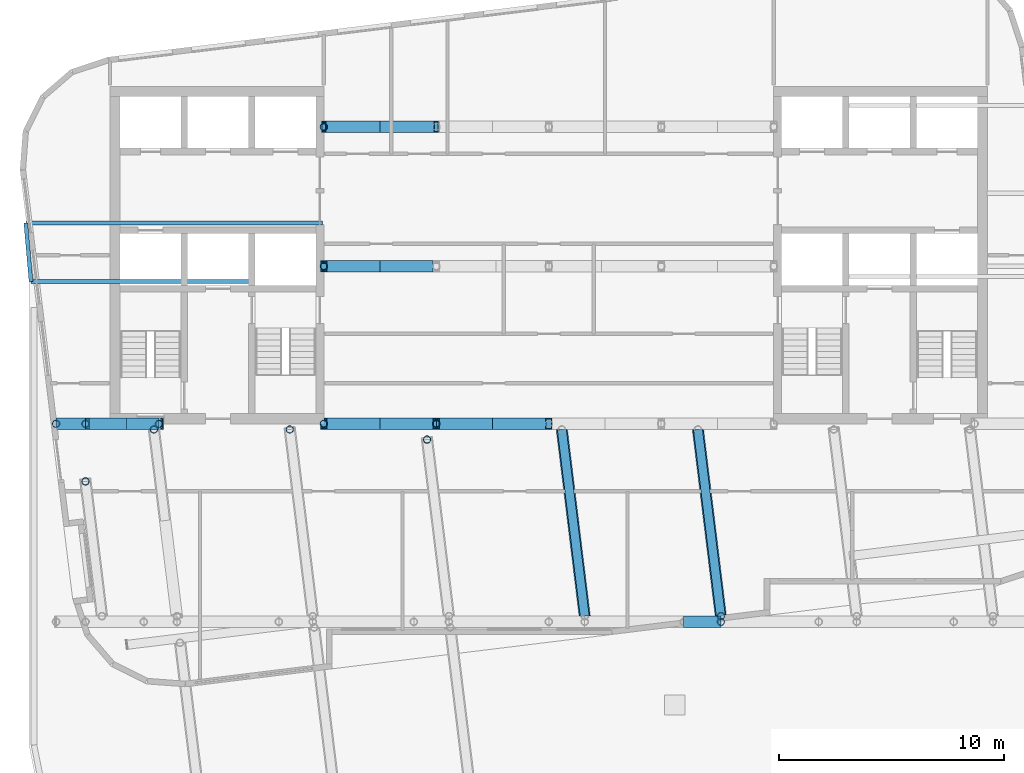
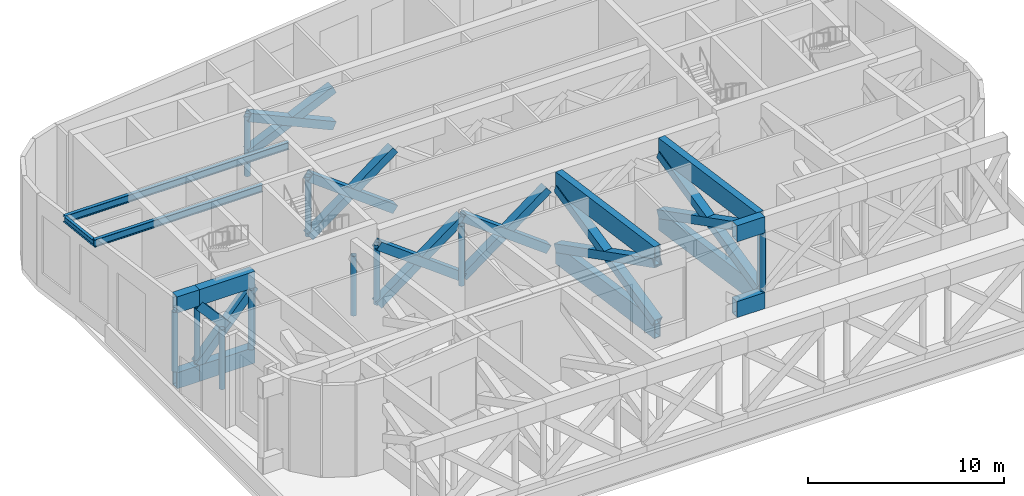
# One storey, part 2 of 16: 27 members, 13 beams.
"""IFC4 building model written with IfcOpenShell, lengths in metres."""

from ifc_helpers import new_model, si_unit, direction, frame, origin, origin_2d, place, context, subcontext, project, spatial, hollow_rectangle, hollow_circle, i_section, extrude, material, material_profile, profile_set, type_object, element, save


model = new_model("IFC4")

# Units and contexts
model_context = context("Model", 3, precision=1e-05, world=origin(), true_north=direction((0.0, 1.0)))
body_context = subcontext(model_context, "Body", "Model", "MODEL_VIEW")
ifc_project = project(units=[si_unit("LENGTHUNIT", "METRE"), si_unit("AREAUNIT", "SQUARE_METRE"), si_unit("VOLUMEUNIT", "CUBIC_METRE"), si_unit("PLANEANGLEUNIT", "RADIAN"), si_unit("MASSUNIT", "GRAM", prefix="KILO")], contexts=[model_context])

# Site, building, storey
site_placement = place(None, origin())
site = spatial("IfcSite", under=ifc_project, at=site_placement, CompositionType="ELEMENT")
building_placement = place(site_placement, origin())
building = spatial("IfcBuilding", under=site, at=building_placement, Name="Torana Hotel and Residences", CompositionType="ELEMENT")
storey_placement = place(building_placement, frame((0.0, 0.0, 308.60009765625)))
storey = spatial("IfcBuildingStorey", under=building, at=storey_placement, Name="L82", CompositionType="ELEMENT", Elevation=308.60009765625)

# Beams
ifc_material_1 = material(Name="Steel S355", Category="steel")
ifc_material_profile_1 = material_profile(ifc_material_1, i_section(OverallWidth=0.19287109375, OverallDepth=0.46728515625, WebThickness=0.011474609375, FlangeThickness=0.01953125, FilletRadius=0.01025390625, at=origin_2d()), Name="457x191x98 UB")
ifc_profile_set_1 = profile_set([ifc_material_profile_1], Name="Steel S355")
beam_type_1 = type_object("IfcBeamType", Name="BALCONY CANTILEVER BEAM 457x191x98 UB", PredefinedType="BEAM", material=ifc_profile_set_1)
beam_1_placement = place(storey_placement, frame((-23.013916015625, -8.669921875, 5.486328125), z_axis=(1.0, 0.0, 0.0), x_axis=(0.0, 1.0, 0.0)))
element("IfcBeam", 1, at=beam_1_placement, inside=storey, type_object=beam_type_1, Name="Balcony cantilever beam", PredefinedType="BEAM", context=body_context, shape_type="SweptSolid", body=[
    extrude(i_section(OverallWidth=0.19287109375, OverallDepth=0.46728515625, WebThickness=0.011474609375, FlangeThickness=0.01953125, FilletRadius=0.01025390625, at=origin_2d()), origin(), (0.0, 0.0, 1.0), 9.913818359375),
])
beam_2_placement = place(storey_placement, frame((-23.2451171875, -6.070068359375, 5.486328125), z_axis=(1.0, 0.0, 0.0), x_axis=(0.0, 1.0, 0.0)))
element("IfcBeam", 2, at=beam_2_placement, inside=storey, type_object=beam_type_1, Name="Balcony cantilever beam", PredefinedType="BEAM", context=body_context, shape_type="SweptSolid", body=[
    extrude(i_section(OverallWidth=0.19287109375, OverallDepth=0.46728515625, WebThickness=0.011474609375, FlangeThickness=0.01953125, FilletRadius=0.01025390625, at=origin_2d()), origin(), (0.0, 0.0, 1.0), 13.195068359375),
])
ifc_material_2 = material(Name="Steel S355", Category="steel")
ifc_material_profile_2 = material_profile(ifc_material_2, i_section(OverallWidth=0.173095703125, OverallDepth=0.36328125, WebThickness=0.009033203125, FlangeThickness=0.015625, FilletRadius=0.01025390625, at=origin_2d()), Name="356x171x67 UB")
ifc_profile_set_2 = profile_set([ifc_material_profile_2], Name="Steel S355")
beam_type_2 = type_object("IfcBeamType", Name="BALCONY TIP BEAM 356x171x67 UB", PredefinedType="BEAM", material=ifc_profile_set_2)
beam_3_placement = place(storey_placement, frame((-23.013916015625, -8.669921875, 5.5380859375), z_axis=(-0.088578973765, 0.99606915694, 0.0), x_axis=(-0.99606915694, -0.088578973765, 0.0)))
element("IfcBeam", 3, at=beam_3_placement, inside=storey, type_object=beam_type_2, Name="Balcony tip beam", PredefinedType="BEAM", context=body_context, shape_type="SweptSolid", body=[
    extrude(i_section(OverallWidth=0.173095703125, OverallDepth=0.36328125, WebThickness=0.009033203125, FlangeThickness=0.015625, FilletRadius=0.01025390625, at=origin_2d()), origin(), (0.0, 0.0, 1.0), 2.610107421875),
])
ifc_material_3 = material(Name="Steel S355", Category="steel")
ifc_material_profile_3 = material_profile(ifc_material_3, hollow_rectangle(XDim=0.5, YDim=1.0, WallThickness=0.050048828125, at=origin_2d()), Name="BOX 1000x500x50")
ifc_profile_set_3 = profile_set([ifc_material_profile_3], Name="Steel S355")
beam_type_3 = type_object("IfcBeamType", Name="STEEL CHORD BOX 1000x500x50", PredefinedType="BEAM", material=ifc_profile_set_3)
for number, where, z_axis, x_axis, name in (
    (4, (6.0, -23.800048828125, 0.5), (1.0, 0.0, 0.0), (0.0, 1.0, 0.0), "Transfer chord L82"),
    (5, (6.0, -23.800048828125, 5.219970703125), (1.0, 0.0, 0.0), (0.0, 1.0, 0.0), "Transfer chord L82"),
):
    element("IfcBeam", number, at=place(storey_placement, frame(where, z_axis=z_axis, x_axis=x_axis)), inside=storey, type_object=beam_type_3, Name=name, PredefinedType="BEAM", context=body_context, shape_type="SweptSolid", body=[
        extrude(hollow_rectangle(XDim=0.5, YDim=1.0, WallThickness=0.050048828125, at=origin_2d()), origin(), (0.0, 0.0, 1.0), 1.64892578125),
    ])
for number, where, z_axis, x_axis, name in (
    (6, (-21.89990234375, -15.0, 0.5), (1.0, 0.0, 0.0), (0.0, 1.0, 0.0), "Transfer chord L82"),
    (7, (-21.89990234375, -15.0, 5.219970703125), (1.0, 0.0, 0.0), (0.0, 1.0, 0.0), "Transfer chord L82"),
):
    element("IfcBeam", number, at=place(storey_placement, frame(where, z_axis=z_axis, x_axis=x_axis)), inside=storey, type_object=beam_type_3, Name=name, PredefinedType="BEAM", context=body_context, shape_type="SweptSolid", body=[
        extrude(hollow_rectangle(XDim=0.5, YDim=1.0, WallThickness=0.050048828125, at=origin_2d()), origin(), (0.0, 0.0, 1.0), 1.306884765625),
    ])
for number, where, z_axis, x_axis, name in (
    (8, (-20.593017578125, -15.0, 0.5), (1.0, 0.0, 0.0), (0.0, 1.0, 0.0), "Transfer chord L82"),
    (9, (-20.593017578125, -15.0, 5.219970703125), (1.0, 0.0, 0.0), (0.0, 1.0, 0.0), "Transfer chord L82"),
):
    element("IfcBeam", number, at=place(storey_placement, frame(where, z_axis=z_axis, x_axis=x_axis)), inside=storey, type_object=beam_type_3, Name=name, PredefinedType="BEAM", context=body_context, shape_type="SweptSolid", body=[
        extrude(hollow_rectangle(XDim=0.5, YDim=1.0, WallThickness=0.050048828125, at=origin_2d()), origin(), (0.0, 0.0, 1.0), 3.276123046875),
    ])
ifc_material_4 = material(Name="Steel S355", Category="steel")
ifc_material_profile_4 = material_profile(ifc_material_4, hollow_rectangle(XDim=0.39990234375, YDim=1.199951171875, WallThickness=0.0400390625, at=origin_2d()), Name="BOX 1200x400x40")
ifc_profile_set_4 = profile_set([ifc_material_profile_4], Name="Steel S355")
beam_type_4 = type_object("IfcBeamType", Name="STEEL CHORD BOX 1200x400x40", PredefinedType="BEAM", material=ifc_profile_set_4)
for number, where, z_axis, x_axis, name in (
    (10, (1.59912109375, -23.550048828125, 0.599853515625), (-0.121745472917, 0.992561353179, 0.0), (-0.992561353179, -0.121745472917, 0.0), "Transfer chord L82"),
    (11, (1.59912109375, -23.550048828125, 5.119873046875), (-0.121745472917, 0.992561353179, 0.0), (-0.992561353179, -0.121745472917, 0.0), "Transfer chord L82"),
    (12, (7.64892578125, -23.550048828125, 0.599853515625), (-0.121716709942, 0.992564880761, 0.0), (-0.992564880761, -0.121716709942, 0.0), "Transfer chord L82"),
    (13, (7.64892578125, -23.550048828125, 5.119873046875), (-0.121716709942, 0.992564880761, 0.0), (-0.992564880761, -0.121716709942, 0.0), "Transfer chord L82"),
):
    element("IfcBeam", number, at=place(storey_placement, frame(where, z_axis=z_axis, x_axis=x_axis)), inside=storey, type_object=beam_type_4, Name=name, PredefinedType="BEAM", context=body_context, shape_type="SweptSolid", body=[
        extrude(hollow_rectangle(XDim=0.39990234375, YDim=1.199951171875, WallThickness=0.0400390625, at=origin_2d()), origin(), (0.0, 0.0, 1.0), 8.3623046875),
    ])

# Members
ifc_material_5 = material(Name="Steel S355", Category="steel")
ifc_material_profile_5 = material_profile(ifc_material_5, hollow_rectangle(XDim=0.5, YDim=0.5, WallThickness=0.0400390625, at=origin_2d()), Name="BOX 500x500x40")
ifc_profile_set_5 = profile_set([ifc_material_profile_5], Name="Steel S355")
member_type_1 = type_object("IfcMemberType", Name="STEEL DIAGONAL BOX 500x500x40", PredefinedType="BRACE", material=ifc_profile_set_5)
for number, where, z_axis, x_axis, name in (
    (14, (-10.0, -15.0, 1.0), (0.802306956603, 0.0, 0.596911674695), (0.0, 1.0, 0.0), "Truss diagonal L82"),
    (15, (-5.0, -15.0, 1.0), (-0.802306956603, 0.0, 0.596911674695), (0.0, -1.0, 0.0), "Truss diagonal L82"),
    (16, (-5.0, -15.0, 1.0), (0.802306956603, 0.0, 0.596911674695), (0.0, 1.0, 0.0), "Truss diagonal L82"),
    (17, (0.0, -15.0, 1.0), (-0.802306956603, 0.0, 0.596911674695), (0.0, -1.0, 0.0), "Truss diagonal L82"),
    (18, (-10.0, -8.0, 1.0), (0.802306956603, 0.0, 0.596911674695), (0.0, 1.0, 0.0), "Truss diagonal L82"),
    (19, (-5.0, -8.0, 1.0), (-0.802306956603, 0.0, 0.596911674695), (0.0, -1.0, 0.0), "Truss diagonal L82"),
):
    element("IfcMember", number, at=place(storey_placement, frame(where, z_axis=z_axis, x_axis=x_axis)), inside=storey, type_object=member_type_1, Name=name, PredefinedType="BRACE", context=body_context, shape_type="SweptSolid", body=[
        extrude(hollow_rectangle(XDim=0.5, YDim=0.5, WallThickness=0.0400390625, at=origin_2d()), origin(), (0.0, 0.0, 1.0), 6.23193359375),
    ])
for number, where, z_axis, x_axis, name in (
    (20, (-10.0, -1.800048828125, 2.449951171875), (0.910552145583, 0.0, 0.413394230939), (0.0, 1.0, 0.0), "Truss diagonal L82"),
    (21, (-5.0, -1.800048828125, 2.449951171875), (-0.910552145583, 0.0, 0.413394230939), (0.0, -1.0, 0.0), "Truss diagonal L82"),
):
    element("IfcMember", number, at=place(storey_placement, frame(where, z_axis=z_axis, x_axis=x_axis)), inside=storey, type_object=member_type_1, Name=name, PredefinedType="BRACE", context=body_context, shape_type="SweptSolid", body=[
        extrude(hollow_rectangle(XDim=0.5, YDim=0.5, WallThickness=0.0400390625, at=origin_2d()), origin(), (0.0, 0.0, 1.0), 5.4912109375),
    ])
member_1_placement = place(storey_placement, frame((-20.593017578125, -15.0, 1.0), z_axis=(0.660917630842, 0.0, 0.750458450044), x_axis=(0.0, 1.0, 0.0)))
element("IfcMember", 22, at=member_1_placement, inside=storey, type_object=member_type_1, Name="Truss diagonal L82", PredefinedType="BRACE", context=body_context, shape_type="SweptSolid", body=[
    extrude(hollow_rectangle(XDim=0.5, YDim=0.5, WallThickness=0.0400390625, at=origin_2d()), origin(), (0.0, 0.0, 1.0), 4.95703125),
])
member_2_placement = place(storey_placement, frame((-18.955078125, -15.0, 2.85986328125), z_axis=(-0.660865462388, 0.0, 0.750504390808), x_axis=(0.0, -1.0, 0.0)))
element("IfcMember", 23, at=member_2_placement, inside=storey, type_object=member_type_1, Name="Truss diagonal L82", PredefinedType="BRACE", context=body_context, shape_type="SweptSolid", body=[
    extrude(hollow_rectangle(XDim=0.5, YDim=0.5, WallThickness=0.0400390625, at=origin_2d()), origin(), (0.0, 0.0, 1.0), 2.478515625),
])
for number, where, z_axis, x_axis, name in (
    (24, (1.59912109375, -23.550048828125, 1.0), (-0.111235558427, 0.906876565908, 0.406449928957), (-0.992561353179, -0.121745472917, 0.0), "Truss diagonal L82"),
    (25, (0.5810546875, -15.25, 1.0), (0.111235558427, -0.906876565908, 0.406449928957), (0.992561353179, 0.121745472917, 0.0), "Truss diagonal L82"),
    (26, (7.64892578125, -23.550048828125, 1.0), (-0.111209213177, 0.906879256509, 0.406451134848), (-0.992564880761, -0.121716709942, 0.0), "Truss diagonal L82"),
    (27, (6.631103515625, -15.25, 1.0), (0.111209213177, -0.906879256509, 0.406451134848), (0.992564880761, 0.121716709942, 0.0), "Truss diagonal L82"),
):
    element("IfcMember", number, at=place(storey_placement, frame(where, z_axis=z_axis, x_axis=x_axis)), inside=storey, type_object=member_type_1, Name=name, PredefinedType="BRACE", context=body_context, shape_type="SweptSolid", body=[
        extrude(hollow_rectangle(XDim=0.5, YDim=0.5, WallThickness=0.0400390625, at=origin_2d()), origin(), (0.0, 0.0, 1.0), 9.15234375),
    ])
ifc_material_6 = material(Name="Steel S355", Category="steel")
ifc_material_profile_6 = material_profile(ifc_material_6, hollow_circle(Radius=0.161865234375, WallThickness=0.012451171875, at=origin_2d()), Name="323.9x12.5 CHS")
ifc_profile_set_6 = profile_set([ifc_material_profile_6], Name="Steel S355")
member_type_2 = type_object("IfcMemberType", Name="STEEL POST 323.9x12.5 CHS", PredefinedType="POST", material=ifc_profile_set_6)
for number, where, z_axis, x_axis, name in (
    (28, (7.64990234375, -23.800048828125, 1.0), (0.0, 0.0, 1.0), (1.0, 0.0, 0.0), "Truss post L82"),
    (29, (-21.89990234375, -15.0, 1.0), (0.0, 0.0, 1.0), (1.0, 0.0, 0.0), "Truss post L82"),
    (30, (-20.590087890625, -15.0, 1.0), (0.0, 0.0, 1.0), (1.0, 0.0, 0.0), "Truss post L82"),
    (31, (-17.320068359375, -15.0, 1.0), (0.0, 0.0, 1.0), (1.0, 0.0, 0.0), "Truss post L82"),
    (32, (-20.590087890625, -17.56005859375, 1.0), (0.0, 0.0, 1.0), (1.0, 0.0, 0.0), "Truss post L82"),
    (33, (-17.550048828125, -15.25, 1.0), (0.0, 0.0, 1.0), (1.0, 0.0, 0.0), "Truss post L82"),
    (34, (-11.510009765625, -15.25, 1.0), (0.0, 0.0, 1.0), (1.0, 0.0, 0.0), "Truss post L82"),
    (35, (-5.409912109375, -15.699951171875, 1.0), (0.0, 0.0, 1.0), (1.0, 0.0, 0.0), "Truss post L82"),
    (36, (7.64990234375, -23.550048828125, 1.0), (0.0, 0.0, 1.0), (1.0, 0.0, 0.0), "Truss post L82"),
    (37, (-10.0, -15.0, 1.0), (0.0, 0.0, 1.0), (1.0, 0.0, 0.0), "Truss post L82"),
    (38, (-10.0, -8.0, 1.0), (0.0, 0.0, 1.0), (1.0, 0.0, 0.0), "Truss post L82"),
    (39, (-10.0, -1.800048828125, 1.0), (0.0, 0.0, 1.0), (1.0, 0.0, 0.0), "Truss post L82"),
    (40, (-5.0, -15.0, 1.0), (0.0, 0.0, 1.0), (1.0, 0.0, 0.0), "Truss post L82"),
):
    element("IfcMember", number, at=place(storey_placement, frame(where, z_axis=z_axis, x_axis=x_axis)), inside=storey, type_object=member_type_2, Name=name, PredefinedType="POST", context=body_context, shape_type="SweptSolid", body=[
        extrude(hollow_circle(Radius=0.161865234375, WallThickness=0.012451171875, at=origin_2d()), origin(), (0.0, 0.0, 1.0), 3.719970703125),
    ])

save(model, "model.ifc")
